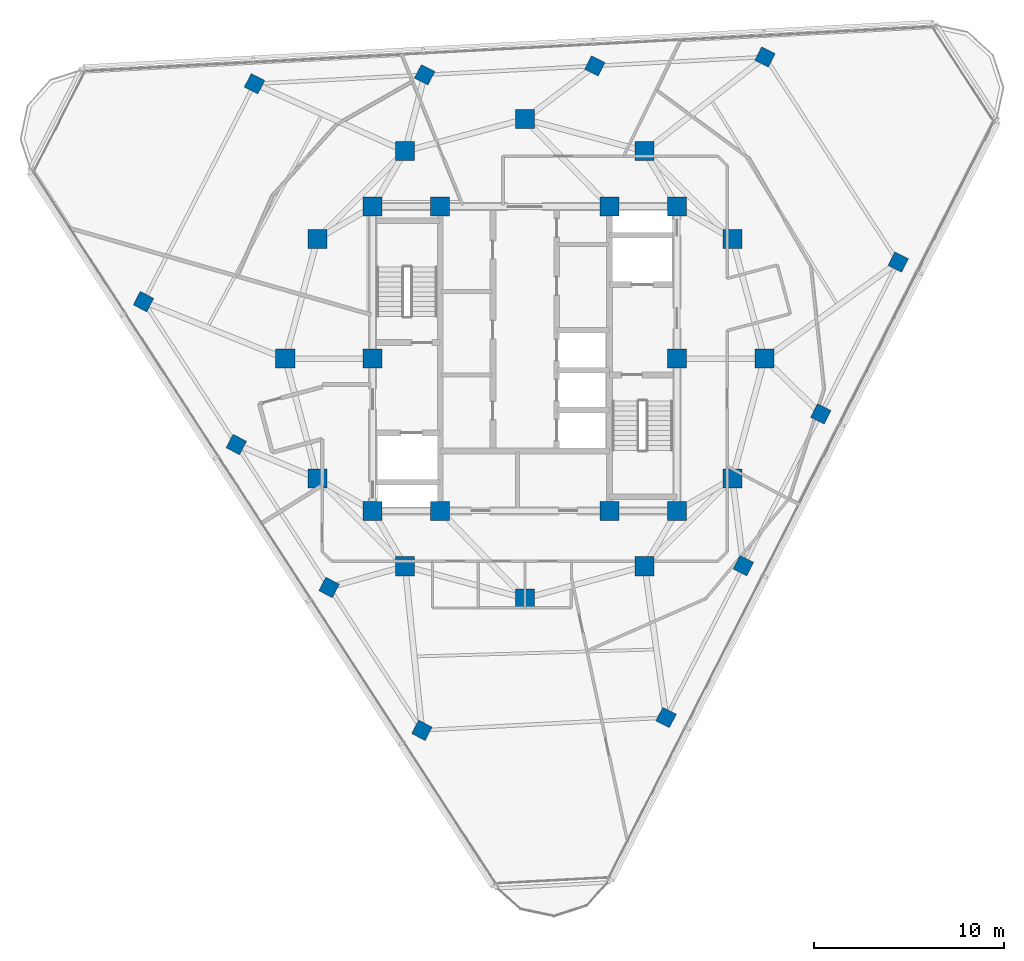
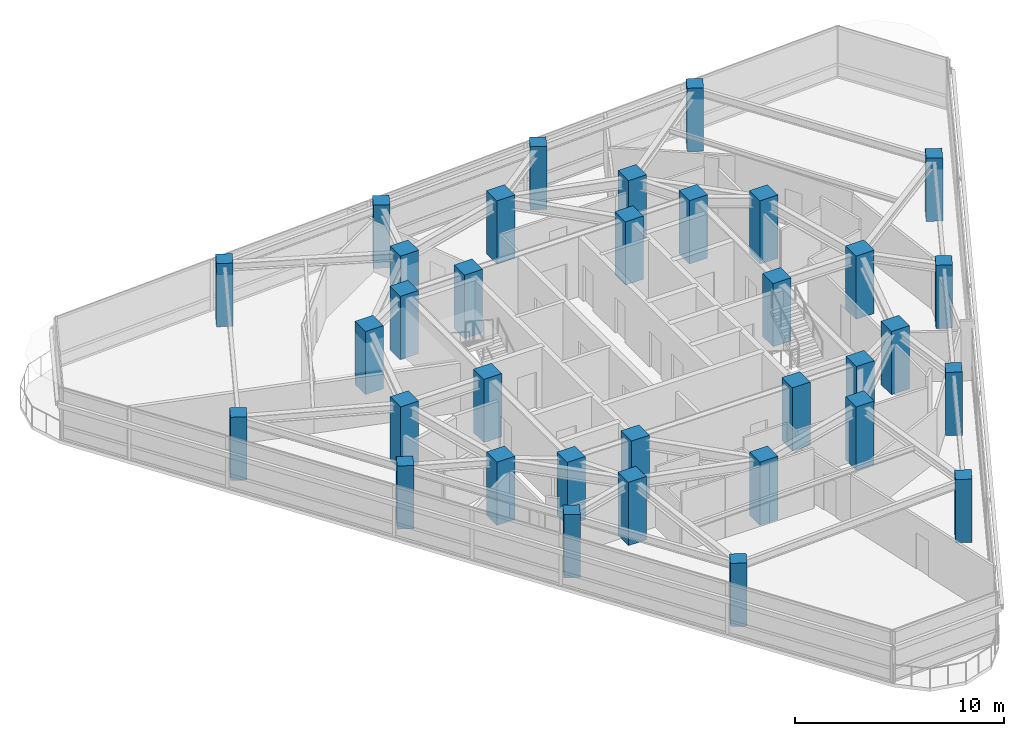
# One storey, part 1 of 15: 34 columns.
"""IFC4 building model written with IfcOpenShell, lengths in metres."""

import ifcopenshell
import ifcopenshell.guid

model = None  # the IFC model being written
_history = None  # IfcOwnerHistory: only IFC2X3 demands one
_inside = {}  # id of a spatial element -> (the spatial element, [elements in it])
_under = {}  # id of a project, library or spatial element -> (it, [spatial elements below it])
_declared = {}  # id of a project -> (the project, [libraries it declares])
_typed = {}  # id of a type object -> (the type object, [elements of that type])
_made_of = {}  # id of a material, layer set ... -> (it, [elements and type objects made of it])


def new_model(schema):
    """Start an empty IFC model of exactly this schema.

    Asked for "IFC4X3", IfcOpenShell would pick the latest addendum, in which some entities
    have other attributes; the version numbers below select the first issue.
    IFC2X3 requires an IfcOwnerHistory on every rooted entity: one is made here for all.
    """
    global model, _history
    if schema == "IFC4X3":
        model = ifcopenshell.file(schema_version=(4, 3, 0, 0))
    else:
        model = ifcopenshell.file(schema=schema)
    _inside.clear()
    _under.clear()
    _declared.clear()
    _typed.clear()
    _made_of.clear()
    _history = None
    if model.schema == "IFC2X3":
        org = make("IfcOrganization", Name="unknown")
        user = make(
            "IfcPersonAndOrganization",
            ThePerson=make("IfcPerson", FamilyName="unknown"),
            TheOrganization=org,
        )
        app = make(
            "IfcApplication",
            ApplicationDeveloper=org,
            Version="unknown",
            ApplicationFullName="unknown",
            ApplicationIdentifier="unknown",
        )
        _history = make(
            "IfcOwnerHistory",
            OwningUser=user,
            OwningApplication=app,
            ChangeAction="ADDED",
            CreationDate=0,
        )
    return model


def make(cls, **values):
    """One entity of the class cls with the attributes given. An attribute that is None is left unset."""
    return model.create_entity(
        cls, **{name: value for name, value in values.items() if value is not None}
    )


def rooted(cls, **values):
    """An entity with a GlobalId (a new one), such as an element, a storey or a relation."""
    return make(cls, GlobalId=ifcopenshell.guid.new(), OwnerHistory=_history, **values)


def si_unit(unit_type, name, prefix=None):
    """IfcSIUnit, for example si_unit("LENGTHUNIT", "METRE", prefix="MILLI")."""
    return make("IfcSIUnit", UnitType=unit_type, Prefix=prefix, Name=name)


def assignment(units):
    """IfcUnitAssignment: the units of a project."""
    return None if units is None else make("IfcUnitAssignment", Units=units)


def point(xyz):
    """IfcCartesianPoint."""
    return None if xyz is None else make("IfcCartesianPoint", Coordinates=xyz)


def direction(xyz):
    """IfcDirection."""
    return None if xyz is None else make("IfcDirection", DirectionRatios=xyz)


def frame(location, z_axis=None, x_axis=None):
    """IfcAxis2Placement3D, a coordinate frame: its origin and axes. An axis left out is left unset."""
    return make(
        "IfcAxis2Placement3D",
        Location=point(location),
        Axis=direction(z_axis),
        RefDirection=direction(x_axis),
    )


def frame_2d(location, x_axis=None):
    """IfcAxis2Placement2D, a coordinate frame in the plane: its origin and x axis."""
    return make(
        "IfcAxis2Placement2D", Location=point(location), RefDirection=direction(x_axis)
    )


def origin():
    """The frame at (0, 0, 0) with its axes left unset."""
    return frame((0.0, 0.0, 0.0))


def origin_2d():
    """The frame at (0, 0) in the plane with its x axis left unset."""
    return frame_2d((0.0, 0.0))


def place(relative_to, where):
    """IfcLocalPlacement: puts the frame where relative to a parent placement (None: the world)."""
    return make(
        "IfcLocalPlacement", PlacementRelTo=relative_to, RelativePlacement=where
    )


def context(
    kind, dimensions, precision=None, world=None, true_north=None, identifier=None
):
    """IfcGeometricRepresentationContext, for example the 3D "Model" context."""
    return make(
        "IfcGeometricRepresentationContext",
        ContextIdentifier=identifier,
        ContextType=kind,
        CoordinateSpaceDimension=dimensions,
        Precision=precision,
        WorldCoordinateSystem=world,
        TrueNorth=true_north,
    )


def subcontext(parent, identifier, kind, view, scale=None):
    """IfcGeometricRepresentationSubContext, for example "Body" below "Model"."""
    return make(
        "IfcGeometricRepresentationSubContext",
        ContextIdentifier=identifier,
        ContextType=kind,
        ParentContext=parent,
        TargetScale=scale,
        TargetView=view,
    )


def project(units=None, contexts=None):
    """IfcProject with its units and contexts."""
    return rooted(
        "IfcProject",
        Name="project",
        RepresentationContexts=contexts,
        UnitsInContext=assignment(units),
    )


def spatial(cls, under=None, at=None, **own):
    """A site, building, storey or space (cls), placed at a placement, below another one or the project."""
    s = rooted(cls, ObjectPlacement=at, **own)
    if under is not None:
        _under.setdefault(under.id(), (under, []))[1].append(s)
    return s


def profile(cls, at=None, kind="AREA", **sizes):
    """A parametric profile (cls). Its sizes go by their IFC names, for example OverallWidth=200.0."""
    return make(cls, ProfileType=kind, Position=at, **sizes)


def rectangle(**sizes):
    """IfcRectangleProfileDef."""
    return profile("IfcRectangleProfileDef", **sizes)


def extrude(swept, where, along, depth):
    """IfcExtrudedAreaSolid: the profile swept, set in the frame where, extruded along a direction by depth."""
    return make(
        "IfcExtrudedAreaSolid",
        SweptArea=swept,
        Position=where,
        ExtrudedDirection=direction(along),
        Depth=depth,
    )


def shape(context_of_items, identifier, shape_type, items):
    """IfcShapeRepresentation: the items that make up one representation, for example the "Body"."""
    return make(
        "IfcShapeRepresentation",
        ContextOfItems=context_of_items,
        RepresentationIdentifier=identifier,
        RepresentationType=shape_type,
        Items=items,
    )


def material(Name=None, Category=None):
    """IfcMaterial."""
    return make("IfcMaterial", Name=Name, Category=Category)


def material_profile(
    of_material, cross_section, Name=None, Category=None, Priority=None
):
    """IfcMaterialProfile: a cross section and its material."""
    return make(
        "IfcMaterialProfile",
        Name=Name,
        Material=of_material,
        Profile=cross_section,
        Priority=Priority,
        Category=Category,
    )


def profile_set(profiles, Name=None, composite=None):
    """IfcMaterialProfileSet."""
    return make(
        "IfcMaterialProfileSet",
        Name=Name,
        MaterialProfiles=profiles,
        CompositeProfile=composite,
    )


def made_of(thing, what):
    """Note that an element or type object is made of a material, layer set ...; save() writes the relation."""
    if what is not None:
        _made_of.setdefault(what.id(), (what, []))[1].append(thing)
    return thing


def type_object(cls, material=None, **own):
    """A type object (cls), such as IfcWallType, which elements share."""
    return made_of(rooted(cls, **own), material)


def element(
    cls,
    number,
    at=None,
    inside=None,
    cuts=None,
    type_object=None,
    material=None,
    context=None,
    identifier="Body",
    shape_type=None,
    held_by="IfcProductDefinitionShape",
    body=None,
    shapes=None,
    **own,
):
    """One element of the class cls, such as IfcWall. Its Tag is "e" and its number.

    at: its placement. inside: the storey or other place that contains it. cuts: it is an
    opening in that element (IfcRelVoidsElement). A single representation is given by context,
    identifier, shape_type and body (its items); several are given by shapes. held_by: the class
    of the entity that holds the representations. save() writes the other relations.
    """
    e = rooted(cls, Tag="e%d" % number, ObjectPlacement=at, **own)
    if body is not None:
        shapes = [shape(context, identifier, shape_type, body)]
    if shapes is not None:
        e.Representation = make(held_by, Representations=shapes)
    if inside is not None:
        _inside.setdefault(inside.id(), (inside, []))[1].append(e)
    if cuts is not None:
        rooted(
            "IfcRelVoidsElement", RelatingBuildingElement=cuts, RelatedOpeningElement=e
        )
    if type_object is not None:
        _typed.setdefault(type_object.id(), (type_object, []))[1].append(e)
    return made_of(e, material)


def aggregate(whole, parts):
    """IfcRelAggregates: a whole, such as a stair, and the parts it consists of."""
    return rooted("IfcRelAggregates", RelatingObject=whole, RelatedObjects=parts)


def save(model, path):
    """Write the relations noted so far, then the file.

    IfcRelAggregates (storeys below a building ...), IfcRelContainedInSpatialStructure (elements
    in a storey), IfcRelDefinesByType, IfcRelAssociatesMaterial and IfcRelDeclares: one each for
    every whole, place, type object, material and project.
    """
    for whole, parts in _under.values():
        aggregate(whole, parts)
    for where, things in _inside.values():
        rooted(
            "IfcRelContainedInSpatialStructure",
            RelatedElements=things,
            RelatingStructure=where,
        )
    for kind, things in _typed.values():
        rooted("IfcRelDefinesByType", RelatedObjects=things, RelatingType=kind)
    for what, things in _made_of.values():
        rooted("IfcRelAssociatesMaterial", RelatedObjects=things, RelatingMaterial=what)
    for by, libraries in _declared.values():
        rooted("IfcRelDeclares", RelatingContext=by, RelatedDefinitions=libraries)
    model.write(path)


model = new_model("IFC4")

# Units and contexts
model_context = context("Model", 3, precision=1e-05, world=origin(), true_north=direction((0.0, 1.0)))
body_context = subcontext(model_context, "Body", "Model", "MODEL_VIEW")
ifc_project = project(units=[si_unit("LENGTHUNIT", "METRE"), si_unit("AREAUNIT", "SQUARE_METRE"), si_unit("VOLUMEUNIT", "CUBIC_METRE"), si_unit("PLANEANGLEUNIT", "RADIAN"), si_unit("MASSUNIT", "GRAM", prefix="KILO")], contexts=[model_context])

# Site, building, storey
site_placement = place(None, origin())
site = spatial("IfcSite", under=ifc_project, at=site_placement, CompositionType="ELEMENT")
building_placement = place(site_placement, origin())
building = spatial("IfcBuilding", under=site, at=building_placement, Name="Terralouvre Media Tower", CompositionType="ELEMENT")
storey_placement = place(building_placement, frame((0.0, 0.0, 259.60009765625)))
storey = spatial("IfcBuildingStorey", under=building, at=storey_placement, Name="L67", CompositionType="ELEMENT", Elevation=259.60009765625)

# Columns
ifc_material_1 = material(Name="Concrete C50/60", Category="concrete")
ifc_material_profile_1 = material_profile(ifc_material_1, rectangle(XDim=1.0, YDim=1.0, at=origin_2d()), Name="RC 1000x1000")
ifc_profile_set_1 = profile_set([ifc_material_profile_1], Name="Concrete C50/60")
column_type_1 = type_object("IfcColumnType", Name="Structural Column C-RC1000 (RC 1000x1000)", PredefinedType="COLUMN", material=ifc_profile_set_1)
for number, where, z_axis, x_axis, name in (
    (1, (-8.0, -8.0, 0.0), (0.0, 0.0, 1.0), (1.0, 0.0, 0.0), "L67 Core Pilaster Column CP1"),
    (2, (-4.449951171875, -8.0, 0.0), (0.0, 0.0, 1.0), (1.0, 0.0, 0.0), "L67 Core Pilaster Column CP2"),
    (3, (4.449951171875, -8.0, 0.0), (0.0, 0.0, 1.0), (1.0, 0.0, 0.0), "L67 Core Pilaster Column CP10"),
    (4, (8.0, -8.0, 0.0), (0.0, 0.0, 1.0), (1.0, 0.0, 0.0), "L67 Core Pilaster Column CP3"),
    (5, (8.0, 0.0, 0.0), (0.0, 0.0, 1.0), (1.0, 0.0, 0.0), "L67 Core Pilaster Column CP4"),
    (6, (8.0, 8.0, 0.0), (0.0, 0.0, 1.0), (1.0, 0.0, 0.0), "L67 Core Pilaster Column CP5"),
    (7, (4.449951171875, 8.0, 0.0), (0.0, 0.0, 1.0), (1.0, 0.0, 0.0), "L67 Core Pilaster Column CP9"),
    (8, (-4.449951171875, 8.0, 0.0), (0.0, 0.0, 1.0), (1.0, 0.0, 0.0), "L67 Core Pilaster Column CP6"),
    (9, (-8.0, 8.0, 0.0), (0.0, 0.0, 1.0), (1.0, 0.0, 0.0), "L67 Core Pilaster Column CP7"),
    (10, (-8.0, 0.0, 0.0), (0.0, 0.0, 1.0), (1.0, 0.0, 0.0), "L67 Core Pilaster Column CP8"),
    (11, (12.60009765625, 0.0, 0.0), (0.0, 0.0, 1.0), (1.0, 0.0, 0.0), "L67 Mega-Frame Column MC01"),
    (12, (10.911865234375, 6.300048828125, 0.0), (0.0, 0.0, 1.0), (1.0, 0.0, 0.0), "L67 Mega-Frame Column MC02"),
    (13, (6.300048828125, 10.911865234375, 0.0), (0.0, 0.0, 1.0), (1.0, 0.0, 0.0), "L67 Mega-Frame Column MC03"),
    (14, (0.0, 12.60009765625, 0.0), (0.0, 0.0, 1.0), (1.0, 0.0, 0.0), "L67 Mega-Frame Column MC04"),
    (15, (-6.300048828125, 10.911865234375, 0.0), (0.0, 0.0, 1.0), (1.0, 0.0, 0.0), "L67 Mega-Frame Column MC05"),
    (16, (-10.911865234375, 6.300048828125, 0.0), (0.0, 0.0, 1.0), (1.0, 0.0, 0.0), "L67 Mega-Frame Column MC06"),
    (17, (-12.60009765625, 0.0, 0.0), (0.0, 0.0, 1.0), (1.0, 0.0, 0.0), "L67 Mega-Frame Column MC07"),
    (18, (-10.911865234375, -6.300048828125, 0.0), (0.0, 0.0, 1.0), (1.0, 0.0, 0.0), "L67 Mega-Frame Column MC08"),
    (19, (-6.300048828125, -10.911865234375, 0.0), (0.0, 0.0, 1.0), (1.0, 0.0, 0.0), "L67 Mega-Frame Column MC09"),
    (20, (0.0, -12.60009765625, 0.0), (0.0, 0.0, 1.0), (1.0, 0.0, 0.0), "L67 Mega-Frame Column MC10"),
    (21, (6.300048828125, -10.911865234375, 0.0), (0.0, 0.0, 1.0), (1.0, 0.0, 0.0), "L67 Mega-Frame Column MC11"),
    (22, (10.911865234375, -6.300048828125, 0.0), (0.0, 0.0, 1.0), (1.0, 0.0, 0.0), "L67 Mega-Frame Column MC12"),
):
    element("IfcColumn", number, at=place(storey_placement, frame(where, z_axis=z_axis, x_axis=x_axis)), inside=storey, type_object=column_type_1, Name=name, PredefinedType="COLUMN", context=body_context, shape_type="SweptSolid", body=[
        extrude(rectangle(XDim=1.0, YDim=1.0, at=origin_2d()), origin(), (0.0, 0.0, 1.0), 3.699951171875),
    ])
ifc_material_2 = material(Name="Concrete C50/60", Category="concrete")
ifc_material_profile_2 = material_profile(ifc_material_2, rectangle(XDim=0.800048828125, YDim=0.800048828125, at=origin_2d()), Name="RC 800x800")
ifc_profile_set_2 = profile_set([ifc_material_profile_2], Name="Concrete C50/60")
column_type_2 = type_object("IfcColumnType", Name="Structural Column C-RC800 (RC 800x800)", PredefinedType="COLUMN", material=ifc_profile_set_2)
for number, where, z_axis, x_axis, name in (
    (23, (7.42626953125, -18.867919921875, 0.0), (0.0, 0.0, 1.0), (0.45399049974, 0.891006524188, 0.0), "L67 Perimeter Mega-Column PC11"),
    (24, (11.493896484375, -10.884521484375, 0.0), (0.0, 0.0, 1.0), (0.45399049974, 0.891006524188, 0.0), "L67 Perimeter Mega-Column PC12"),
    (25, (15.561767578125, -2.901123046875, 0.0), (0.0, 0.0, 1.0), (0.45399049974, 0.891006524188, 0.0), "L67 Perimeter Mega-Column PC13"),
    (26, (19.62939453125, 5.082275390625, 0.0), (0.0, 0.0, 1.0), (0.45399049974, 0.891006524188, 0.0), "L67 Perimeter Mega-Column PC14"),
    (27, (12.626953125, 15.865234375, 0.0), (0.0, 0.0, 1.0), (0.45399049974, 0.891006524188, 0.0), "L67 Perimeter Mega-Column PC21"),
    (28, (3.67919921875, 15.396240234375, 0.0), (0.0, 0.0, 1.0), (0.45399049974, 0.891006524188, 0.0), "L67 Perimeter Mega-Column PC22"),
    (29, (-5.2685546875, 14.927490234375, 0.0), (0.0, 0.0, 1.0), (0.45399049974, 0.891006524188, 0.0), "L67 Perimeter Mega-Column PC23"),
    (30, (-14.21630859375, 14.45849609375, 0.0), (0.0, 0.0, 1.0), (0.45399049974, 0.891006524188, 0.0), "L67 Perimeter Mega-Column PC24"),
    (31, (-20.05322265625, 3.002685546875, 0.0), (0.0, 0.0, 1.0), (0.45399049974, 0.891006524188, 0.0), "L67 Perimeter Mega-Column PC31"),
    (32, (-15.17333984375, -4.51171875, 0.0), (0.0, 0.0, 1.0), (0.45399049974, 0.891006524188, 0.0), "L67 Perimeter Mega-Column PC32"),
    (33, (-10.293212890625, -12.0263671875, 0.0), (0.0, 0.0, 1.0), (0.45399049974, 0.891006524188, 0.0), "L67 Perimeter Mega-Column PC33"),
    (34, (-5.413330078125, -19.540771484375, 0.0), (0.0, 0.0, 1.0), (0.45399049974, 0.891006524188, 0.0), "L67 Perimeter Mega-Column PC34"),
):
    element("IfcColumn", number, at=place(storey_placement, frame(where, z_axis=z_axis, x_axis=x_axis)), inside=storey, type_object=column_type_2, Name=name, PredefinedType="COLUMN", context=body_context, shape_type="SweptSolid", body=[
        extrude(rectangle(XDim=0.800048828125, YDim=0.800048828125, at=origin_2d()), origin(), (0.0, 0.0, 1.0), 3.699951171875),
    ])

save(model, "model.ifc")
